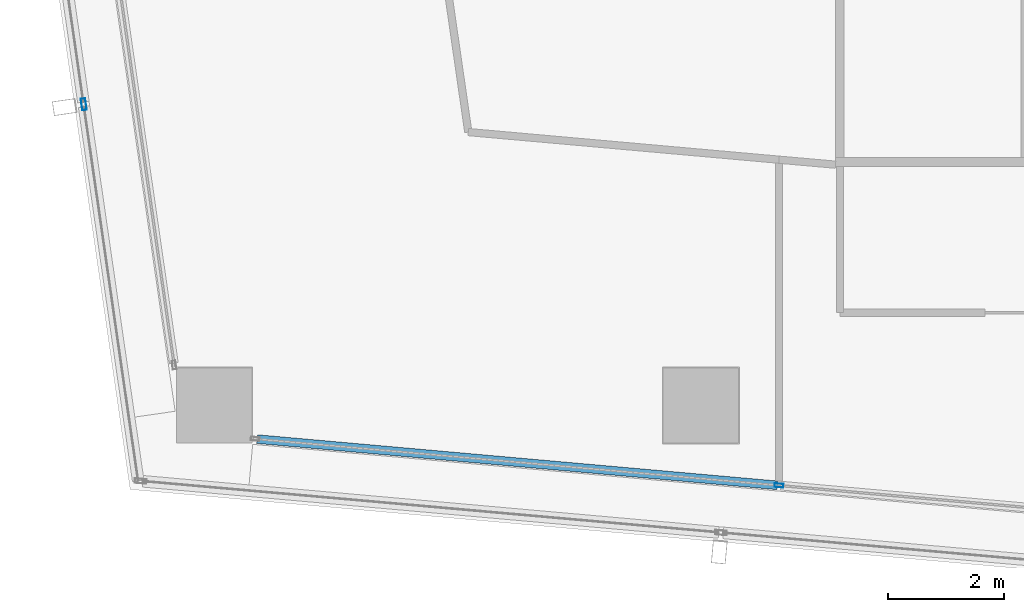
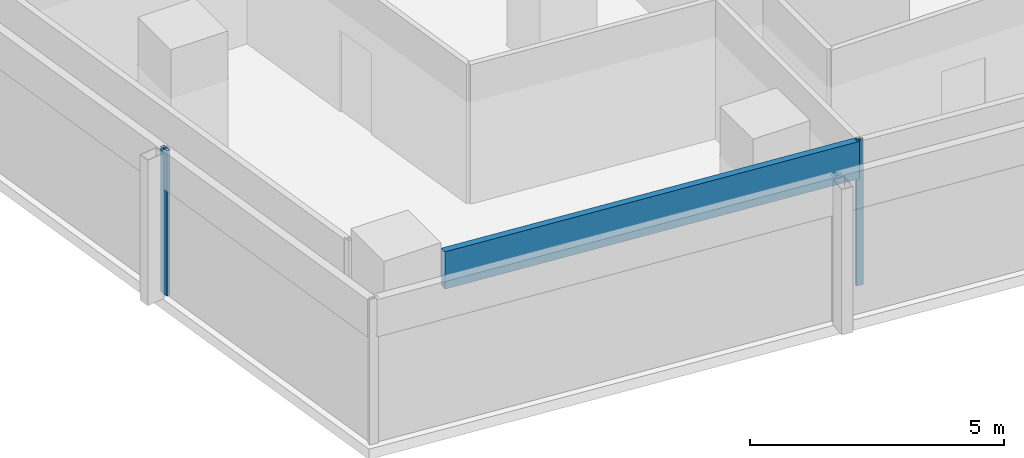
# One storey, part 3 of 29: 3 members, 2 elements without a shape of their own.
"""IFC4 building model written with IfcOpenShell, lengths in metres."""

from ifc_helpers import new_model, si_unit, direction, frame, origin, origin_2d, place, context, subcontext, project, spatial, hollow_rectangle, extrude, material, material_profile, profile_set, type_object, element, aggregate, save


model = new_model("IFC4")

# Units and contexts
model_context = context("Model", 3, precision=1e-05, world=origin(), true_north=direction((0.0, 1.0)))
body_context = subcontext(model_context, "Body", "Model", "MODEL_VIEW")
ifc_project = project(units=[si_unit("LENGTHUNIT", "METRE"), si_unit("AREAUNIT", "SQUARE_METRE"), si_unit("VOLUMEUNIT", "CUBIC_METRE"), si_unit("PLANEANGLEUNIT", "RADIAN"), si_unit("MASSUNIT", "GRAM", prefix="KILO")], contexts=[model_context])

# Site, building, storey
site_placement = place(None, origin())
site = spatial("IfcSite", under=ifc_project, at=site_placement, CompositionType="ELEMENT")
building_placement = place(site_placement, origin())
building = spatial("IfcBuilding", under=site, at=building_placement, Name="Rekha Terrace Tower", CompositionType="ELEMENT")
storey_placement = place(building_placement, frame((0.0, 0.0, 276.35009765625)))
storey = spatial("IfcBuildingStorey", under=building, at=storey_placement, Name="L70", CompositionType="ELEMENT", Elevation=276.35009765625)

# Curtain wall, members
ifc_material_1 = material(Name="Aluminium framing", Category="aluminium")
curtain_wall_type_1 = type_object("IfcCurtainWallType", Name="CW1 double skin inner glazing", PredefinedType="USERDEFINED", material=ifc_material_1)
curtain_wall_1_placement = place(storey_placement, origin())
curtain_wall_1 = element("IfcCurtainWall", 1, at=curtain_wall_1_placement, inside=storey, type_object=curtain_wall_type_1, Name="CW1 double skin inner glazing", ObjectType="DOUBLE SKIN INNER GLAZING", PredefinedType="USERDEFINED")
ifc_material_2 = material(Name="Aluminium mullion section", Category="aluminium")
ifc_material_profile_1 = material_profile(ifc_material_2, hollow_rectangle(XDim=0.06494140625, YDim=0.14990234375, WallThickness=0.00390625, at=origin_2d()), Name="AL RHS 65x150")
ifc_profile_set_1 = profile_set([ifc_material_profile_1], Name="Aluminium mullion section")
member_type_1 = type_object("IfcMemberType", Name="CW1 mullion RHS 65 x 150", PredefinedType="MULLION", material=ifc_profile_set_1)
member_1_placement = place(storey_placement, frame((18.1494140625, 15.4189453125, 0.0), z_axis=(0.0, 0.0, 1.0), x_axis=(0.088522441405, 0.996074182663, 0.0)))
member_1 = element("IfcMember", 2, at=member_1_placement, type_object=member_type_1, Name="CW1 mullion 2", PredefinedType="MULLION", context=body_context, shape_type="SweptSolid", body=[
    extrude(hollow_rectangle(XDim=0.06494140625, YDim=0.14990234375, WallThickness=0.00390625, at=origin_2d()), origin(), (0.0, 0.0, 1.0), 3.5),
])
ifc_material_3 = material(Name="Insulated aluminium spandrel box", Category="aluminium")
ifc_material_profile_2 = material_profile(ifc_material_3, hollow_rectangle(XDim=0.14990234375, YDim=0.89990234375, WallThickness=0.0029296875, at=origin_2d()), Name="AL SPANDREL BOX 150x900")
ifc_profile_set_2 = profile_set([ifc_material_profile_2], Name="Insulated aluminium spandrel box")
member_type_2 = type_object("IfcMemberType", Name="CW1 spandrel transom 150 x 900", PredefinedType="USERDEFINED", material=ifc_profile_set_2)
member_2_placement = place(storey_placement, frame((9.1416015625, 16.219482421875, 3.0498046875), z_axis=(0.996072428294, -0.088542179732, 0.0), x_axis=(0.088542179732, 0.996072428294, 0.0)))
member_2 = element("IfcMember", 3, at=member_2_placement, type_object=member_type_2, Name="CW1 spandrel transom 1", ObjectType="TRANSOM", PredefinedType="USERDEFINED", context=body_context, shape_type="SweptSolid", body=[
    extrude(hollow_rectangle(XDim=0.14990234375, YDim=0.89990234375, WallThickness=0.0029296875, at=origin_2d()), origin(), (0.0, 0.0, 1.0), 9.010986328125),
])
aggregate(curtain_wall_1, [member_1, member_2])

# Curtain wall, member
curtain_wall_type_2 = type_object("IfcCurtainWallType", Name="CW2 double skin outer glazing", PredefinedType="USERDEFINED", material=ifc_material_1)
curtain_wall_2_placement = place(storey_placement, origin())
curtain_wall_2 = element("IfcCurtainWall", 4, at=curtain_wall_2_placement, inside=storey, type_object=curtain_wall_type_2, Name="CW2 double skin outer glazing", ObjectType="DOUBLE SKIN OUTER GLAZING", PredefinedType="USERDEFINED")
ifc_material_profile_3 = material_profile(ifc_material_2, hollow_rectangle(XDim=0.080078125, YDim=0.199951171875, WallThickness=0.00390625, at=origin_2d()), Name="AL RHS 80x200")
ifc_profile_set_3 = profile_set([ifc_material_profile_3], Name="Aluminium mullion section")
member_type_3 = type_object("IfcMemberType", Name="CW2 mullion RHS 80 x 200", PredefinedType="MULLION", material=ifc_profile_set_3)
member_3_placement = place(storey_placement, frame((6.150634765625, 21.99658203125, 0.0), z_axis=(0.0, 0.0, 1.0), x_axis=(0.989707031389, 0.143108322678, 0.0)))
member_3 = element("IfcMember", 5, at=member_3_placement, type_object=member_type_3, Name="CW2 mullion 2", PredefinedType="MULLION", context=body_context, shape_type="SweptSolid", body=[
    extrude(hollow_rectangle(XDim=0.080078125, YDim=0.199951171875, WallThickness=0.00390625, at=origin_2d()), origin(), (0.0, 0.0, 1.0), 3.5),
])
aggregate(curtain_wall_2, [member_3])

save(model, "model.ifc")
